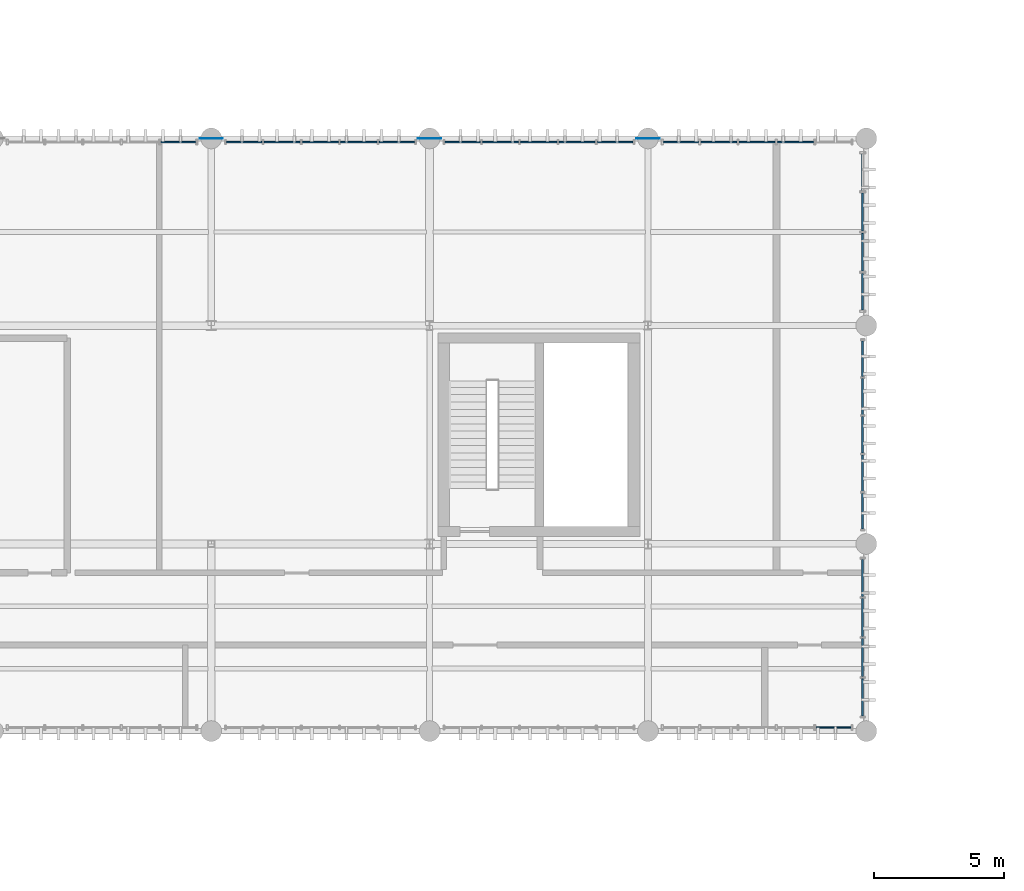
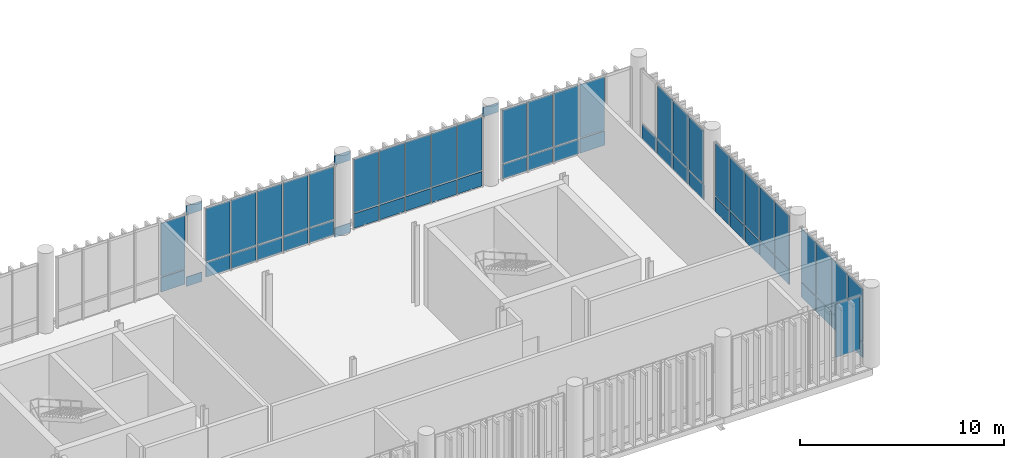
# One storey, part 71 of 94: 61 plates, 8 elements without a shape of their own.
"""IFC4 building model written with IfcOpenShell, lengths in metres."""

from ifc_helpers import new_model, si_unit, direction, frame, frame_2d, origin_with_axes, origin_2d_with_axis, place, context, subcontext, project, spatial, rectangle, extrude, material, layer, layer_set, type_object, element, aggregate, save


model = new_model("IFC4")

# Units and contexts
model_context = context("Model", 3, precision=1e-05, world=origin_with_axes(), true_north=direction((0.0, 1.0)))
body_context = subcontext(model_context, "Body", "Model", "MODEL_VIEW")
ifc_project = project(units=[si_unit("LENGTHUNIT", "METRE"), si_unit("AREAUNIT", "SQUARE_METRE"), si_unit("VOLUMEUNIT", "CUBIC_METRE"), si_unit("PLANEANGLEUNIT", "RADIAN"), si_unit("MASSUNIT", "GRAM", prefix="KILO"), si_unit("THERMODYNAMICTEMPERATUREUNIT", "KELVIN")], contexts=[model_context])

# Site, building, storey
site_placement = place(None, origin_with_axes())
site = spatial("IfcSite", under=ifc_project, at=site_placement, CompositionType="ELEMENT")
building_placement = place(site_placement, origin_with_axes())
building = spatial("IfcBuilding", under=site, at=building_placement, Name="Montbau Bow Law Courts", CompositionType="ELEMENT")
storey_placement = place(building_placement, frame((0.0, 0.0, 15.6), z_axis=(0.0, 0.0, 1.0), x_axis=(1.0, 0.0, 0.0)))
storey = spatial("IfcBuildingStorey", under=building, at=storey_placement, Name="L03", CompositionType="ELEMENT", Elevation=15.6)

# Curtain wall, plate
ifc_material_1 = material(Name="Thermally Broken Extruded Aluminium AA 6063-T6", Category="aluminium")
curtain_wall_type = type_object("IfcCurtainWallType", Name="CW-CRM-01", PredefinedType="NOTDEFINED", material=ifc_material_1)
curtain_wall_1_placement = place(None, frame((89.315, 39.14, 15.6), z_axis=(0.0, 0.0, 1.0), x_axis=(1.0, 0.0, 0.0)))
curtain_wall_1 = element("IfcCurtainWall", 1, at=curtain_wall_1_placement, inside=storey, type_object=curtain_wall_type, Name="CW-L03-180:cw_0180", PredefinedType="NOTDEFINED")
ifc_material_2 = material(Name="Triple-Glazed Low-E Argon Insulating Glass Unit", Category="glass")
ifc_layer_1 = layer(ifc_material_2, 0.044, Name="Curtain Panel", Category="glass")
ifc_layer_set_1 = layer_set([ifc_layer_1], Name="Triple-Glazed Low-E Argon Insulating Glass Unit")
plate_type_1 = type_object("IfcPlateType", Name="PL-CWP-01", PredefinedType="CURTAIN_PANEL", material=ifc_layer_set_1)
plate_1_placement = place(None, frame((95.25, 39.14, 16.582), z_axis=(0.0, -1.0, 0.0), x_axis=(1.0, 0.0, 0.0)))
plate_1 = element("IfcPlate", 2, at=plate_1_placement, type_object=plate_type_1, Name="CW-L03-180-P05-2:cw_0180_P05_2", PredefinedType="CURTAIN_PANEL", context=body_context, shape_type="SweptSolid", body=[
    extrude(rectangle(XDim=1.359, YDim=3.176, at=frame_2d((0.6795, 1.588), x_axis=(1.0, 0.0))), frame((0.0, 0.0, -0.022), z_axis=(0.0, 0.0, 1.0), x_axis=(1.0, 0.0, 0.0)), (0.0, 0.0, 1.0), 0.044),
])
aggregate(curtain_wall_1, [plate_1])

curtain_wall_2_placement = place(None, frame((64.115, 61.66, 15.6), z_axis=(0.0, 0.0, 1.0), x_axis=(1.0, 0.0, 0.0)))
curtain_wall_2 = element("IfcCurtainWall", 3, at=curtain_wall_2_placement, inside=storey, type_object=curtain_wall_type, Name="CW-L03-183:cw_0183", PredefinedType="NOTDEFINED")
plate_2_placement = place(None, frame((70.05, 61.66, 16.579), z_axis=(0.0, -1.0, 0.0), x_axis=(1.0, 0.0, 0.0)))
plate_2 = element("IfcPlate", 4, at=plate_2_placement, type_object=plate_type_1, Name="CW-L03-183-P05-2:cw_0183_P05_2", PredefinedType="CURTAIN_PANEL", context=body_context, shape_type="SweptSolid", body=[
    extrude(rectangle(XDim=1.359, YDim=3.185, at=frame_2d((0.6795, 1.5925), x_axis=(1.0, 0.0))), frame((0.0, 0.0, -0.022), z_axis=(0.0, 0.0, 1.0), x_axis=(1.0, 0.0, 0.0)), (0.0, 0.0, 1.0), 0.044),
])

# Curtain wall, plates
curtain_wall_3_placement = place(None, frame((72.515, 61.66, 15.6), z_axis=(0.0, 0.0, 1.0), x_axis=(1.0, 0.0, 0.0)))
curtain_wall_3 = element("IfcCurtainWall", 5, at=curtain_wall_3_placement, inside=storey, type_object=curtain_wall_type, Name="CW-L03-184:cw_0184", PredefinedType="NOTDEFINED")
plate_3_placement = place(None, frame((72.583, 61.66, 16.582), z_axis=(0.0, -1.0, 0.0), x_axis=(1.0, 0.0, 0.0)))
plate_3 = element("IfcPlate", 6, at=plate_3_placement, type_object=plate_type_1, Name="CW-L03-184-P01-2:cw_0184_P01_2", PredefinedType="CURTAIN_PANEL", context=body_context, shape_type="SweptSolid", body=[
    extrude(rectangle(XDim=1.372, YDim=3.176, at=frame_2d((0.686, 1.588), x_axis=(1.0, 0.0))), frame((0.0, 0.0, -0.022), z_axis=(0.0, 0.0, 1.0), x_axis=(1.0, 0.0, 0.0)), (0.0, 0.0, 1.0), 0.044),
])
plate_4_placement = place(None, frame((74.023, 61.66, 16.582), z_axis=(0.0, -1.0, 0.0), x_axis=(1.0, 0.0, 0.0)))
plate_4 = element("IfcPlate", 7, at=plate_4_placement, type_object=plate_type_1, Name="CW-L03-184-P02-2:cw_0184_P02_2", PredefinedType="CURTAIN_PANEL", context=body_context, shape_type="SweptSolid", body=[
    extrude(rectangle(XDim=1.405, YDim=3.176, at=frame_2d((0.7025, 1.588), x_axis=(1.0, 0.0))), frame((0.0, 0.0, -0.022), z_axis=(0.0, 0.0, 1.0), x_axis=(1.0, 0.0, 0.0)), (0.0, 0.0, 1.0), 0.044),
])
plate_5_placement = place(None, frame((75.497, 61.66, 16.582), z_axis=(0.0, -1.0, 0.0), x_axis=(1.0, 0.0, 0.0)))
plate_5 = element("IfcPlate", 8, at=plate_5_placement, type_object=plate_type_1, Name="CW-L03-184-P03-2:cw_0184_P03_2", PredefinedType="CURTAIN_PANEL", context=body_context, shape_type="SweptSolid", body=[
    extrude(rectangle(XDim=1.406, YDim=3.176, at=frame_2d((0.703, 1.588), x_axis=(1.0, 0.0))), frame((0.0, 0.0, -0.022), z_axis=(0.0, 0.0, 1.0), x_axis=(1.0, 0.0, 0.0)), (0.0, 0.0, 1.0), 0.044),
])
plate_6_placement = place(None, frame((76.971, 61.66, 16.582), z_axis=(0.0, -1.0, 0.0), x_axis=(1.0, 0.0, 0.0)))
plate_6 = element("IfcPlate", 9, at=plate_6_placement, type_object=plate_type_1, Name="CW-L03-184-P04-2:cw_0184_P04_2", PredefinedType="CURTAIN_PANEL", context=body_context, shape_type="SweptSolid", body=[
    extrude(rectangle(XDim=1.406, YDim=3.176, at=frame_2d((0.703, 1.588), x_axis=(1.0, 0.0))), frame((0.0, 0.0, -0.022), z_axis=(0.0, 0.0, 1.0), x_axis=(1.0, 0.0, 0.0)), (0.0, 0.0, 1.0), 0.044),
])
plate_7_placement = place(None, frame((78.445, 61.66, 16.582), z_axis=(0.0, -1.0, 0.0), x_axis=(1.0, 0.0, 0.0)))
plate_7 = element("IfcPlate", 10, at=plate_7_placement, type_object=plate_type_1, Name="CW-L03-184-P05-2:cw_0184_P05_2", PredefinedType="CURTAIN_PANEL", context=body_context, shape_type="SweptSolid", body=[
    extrude(rectangle(XDim=1.374, YDim=3.176, at=frame_2d((0.687, 1.588), x_axis=(1.0, 0.0))), frame((0.0, 0.0, -0.022), z_axis=(0.0, 0.0, 1.0), x_axis=(1.0, 0.0, 0.0)), (0.0, 0.0, 1.0), 0.044),
])

curtain_wall_4_placement = place(None, frame((80.915, 61.66, 15.6), z_axis=(0.0, 0.0, 1.0), x_axis=(1.0, 0.0, 0.0)))
curtain_wall_4 = element("IfcCurtainWall", 11, at=curtain_wall_4_placement, inside=storey, type_object=curtain_wall_type, Name="CW-L03-185:cw_0185", PredefinedType="NOTDEFINED")
plate_8_placement = place(None, frame((80.977, 61.66, 16.579), z_axis=(0.0, -1.0, 0.0), x_axis=(1.0, 0.0, 0.0)))
plate_8 = element("IfcPlate", 12, at=plate_8_placement, type_object=plate_type_1, Name="CW-L03-185-P01-2:cw_0185_P01_2", PredefinedType="CURTAIN_PANEL", context=body_context, shape_type="SweptSolid", body=[
    extrude(rectangle(XDim=1.38, YDim=3.185, at=frame_2d((0.69, 1.5925), x_axis=(1.0, 0.0))), frame((0.0, 0.0, -0.022), z_axis=(0.0, 0.0, 1.0), x_axis=(1.0, 0.0, 0.0)), (0.0, 0.0, 1.0), 0.044),
])
plate_9_placement = place(None, frame((82.421, 61.66, 16.579), z_axis=(0.0, -1.0, 0.0), x_axis=(1.0, 0.0, 0.0)))
plate_9 = element("IfcPlate", 13, at=plate_9_placement, type_object=plate_type_1, Name="CW-L03-185-P02-2:cw_0185_P02_2", PredefinedType="CURTAIN_PANEL", context=body_context, shape_type="SweptSolid", body=[
    extrude(rectangle(XDim=1.41, YDim=3.185, at=frame_2d((0.705, 1.5925), x_axis=(1.0, 0.0))), frame((0.0, 0.0, -0.022), z_axis=(0.0, 0.0, 1.0), x_axis=(1.0, 0.0, 0.0)), (0.0, 0.0, 1.0), 0.044),
])
plate_10_placement = place(None, frame((83.895, 61.66, 16.579), z_axis=(0.0, -1.0, 0.0), x_axis=(1.0, 0.0, 0.0)))
plate_10 = element("IfcPlate", 14, at=plate_10_placement, type_object=plate_type_1, Name="CW-L03-185-P03-2:cw_0185_P03_2", PredefinedType="CURTAIN_PANEL", context=body_context, shape_type="SweptSolid", body=[
    extrude(rectangle(XDim=1.41, YDim=3.185, at=frame_2d((0.705, 1.5925), x_axis=(1.0, 0.0))), frame((0.0, 0.0, -0.022), z_axis=(0.0, 0.0, 1.0), x_axis=(1.0, 0.0, 0.0)), (0.0, 0.0, 1.0), 0.044),
])
plate_11_placement = place(None, frame((85.369, 61.66, 16.579), z_axis=(0.0, -1.0, 0.0), x_axis=(1.0, 0.0, 0.0)))
plate_11 = element("IfcPlate", 15, at=plate_11_placement, type_object=plate_type_1, Name="CW-L03-185-P04-2:cw_0185_P04_2", PredefinedType="CURTAIN_PANEL", context=body_context, shape_type="SweptSolid", body=[
    extrude(rectangle(XDim=1.41, YDim=3.185, at=frame_2d((0.705, 1.5925), x_axis=(1.0, 0.0))), frame((0.0, 0.0, -0.022), z_axis=(0.0, 0.0, 1.0), x_axis=(1.0, 0.0, 0.0)), (0.0, 0.0, 1.0), 0.044),
])
plate_12_placement = place(None, frame((86.843, 61.66, 16.579), z_axis=(0.0, -1.0, 0.0), x_axis=(1.0, 0.0, 0.0)))
plate_12 = element("IfcPlate", 16, at=plate_12_placement, type_object=plate_type_1, Name="CW-L03-185-P05-2:cw_0185_P05_2", PredefinedType="CURTAIN_PANEL", context=body_context, shape_type="SweptSolid", body=[
    extrude(rectangle(XDim=1.38, YDim=3.185, at=frame_2d((0.69, 1.5925), x_axis=(1.0, 0.0))), frame((0.0, 0.0, -0.022), z_axis=(0.0, 0.0, 1.0), x_axis=(1.0, 0.0, 0.0)), (0.0, 0.0, 1.0), 0.044),
])

curtain_wall_5_placement = place(None, frame((89.315, 61.66, 15.6), z_axis=(0.0, 0.0, 1.0), x_axis=(1.0, 0.0, 0.0)))
curtain_wall_5 = element("IfcCurtainWall", 17, at=curtain_wall_5_placement, inside=storey, type_object=curtain_wall_type, Name="CW-L03-186:cw_0186", PredefinedType="NOTDEFINED")
plate_13_placement = place(None, frame((89.391, 61.66, 16.582), z_axis=(0.0, -1.0, 0.0), x_axis=(1.0, 0.0, 0.0)))
plate_13 = element("IfcPlate", 18, at=plate_13_placement, type_object=plate_type_1, Name="CW-L03-186-P01-2:cw_0186_P01_2", PredefinedType="CURTAIN_PANEL", context=body_context, shape_type="SweptSolid", body=[
    extrude(rectangle(XDim=1.358, YDim=3.176, at=frame_2d((0.679, 1.588), x_axis=(1.0, 0.0))), frame((0.0, 0.0, -0.022), z_axis=(0.0, 0.0, 1.0), x_axis=(1.0, 0.0, 0.0)), (0.0, 0.0, 1.0), 0.044),
])
plate_14_placement = place(None, frame((90.829, 61.66, 16.582), z_axis=(0.0, -1.0, 0.0), x_axis=(1.0, 0.0, 0.0)))
plate_14 = element("IfcPlate", 19, at=plate_14_placement, type_object=plate_type_1, Name="CW-L03-186-P02-2:cw_0186_P02_2", PredefinedType="CURTAIN_PANEL", context=body_context, shape_type="SweptSolid", body=[
    extrude(rectangle(XDim=1.395, YDim=3.176, at=frame_2d((0.6975, 1.588), x_axis=(1.0, 0.0))), frame((0.0, 0.0, -0.022), z_axis=(0.0, 0.0, 1.0), x_axis=(1.0, 0.0, 0.0)), (0.0, 0.0, 1.0), 0.044),
])
plate_15_placement = place(None, frame((92.302, 61.66, 16.582), z_axis=(0.0, -1.0, 0.0), x_axis=(1.0, 0.0, 0.0)))
plate_15 = element("IfcPlate", 20, at=plate_15_placement, type_object=plate_type_1, Name="CW-L03-186-P03-2:cw_0186_P03_2", PredefinedType="CURTAIN_PANEL", context=body_context, shape_type="SweptSolid", body=[
    extrude(rectangle(XDim=1.396, YDim=3.176, at=frame_2d((0.698, 1.588), x_axis=(1.0, 0.0))), frame((0.0, 0.0, -0.022), z_axis=(0.0, 0.0, 1.0), x_axis=(1.0, 0.0, 0.0)), (0.0, 0.0, 1.0), 0.044),
])
plate_16_placement = place(None, frame((93.776, 61.66, 16.582), z_axis=(0.0, -1.0, 0.0), x_axis=(1.0, 0.0, 0.0)))
plate_16 = element("IfcPlate", 21, at=plate_16_placement, type_object=plate_type_1, Name="CW-L03-186-P04-2:cw_0186_P04_2", PredefinedType="CURTAIN_PANEL", context=body_context, shape_type="SweptSolid", body=[
    extrude(rectangle(XDim=1.396, YDim=3.176, at=frame_2d((0.698, 1.588), x_axis=(1.0, 0.0))), frame((0.0, 0.0, -0.022), z_axis=(0.0, 0.0, 1.0), x_axis=(1.0, 0.0, 0.0)), (0.0, 0.0, 1.0), 0.044),
])

curtain_wall_6_placement = place(None, frame((97.06, 39.515, 15.6), z_axis=(0.0, 0.0, 1.0), x_axis=(1.0, 0.0, 0.0)))
curtain_wall_6 = element("IfcCurtainWall", 22, at=curtain_wall_6_placement, inside=storey, type_object=curtain_wall_type, Name="CW-L03-190:cw_0190", PredefinedType="NOTDEFINED")
plate_17_placement = place(None, frame((97.06, 39.583, 16.582), z_axis=(1.0, 0.0, 0.0), x_axis=(0.0, 1.0, 0.0)))
plate_17 = element("IfcPlate", 23, at=plate_17_placement, type_object=plate_type_1, Name="CW-L03-190-P01-2:cw_0190_P01_2", PredefinedType="CURTAIN_PANEL", context=body_context, shape_type="SweptSolid", body=[
    extrude(rectangle(XDim=1.44, YDim=3.176, at=frame_2d((0.72, 1.588), x_axis=(1.0, 0.0))), frame((0.0, 0.0, -0.022), z_axis=(0.0, 0.0, 1.0), x_axis=(1.0, 0.0, 0.0)), (0.0, 0.0, 1.0), 0.044),
])
plate_18_placement = place(None, frame((97.06, 41.092, 16.582), z_axis=(1.0, 0.0, 0.0), x_axis=(0.0, 1.0, 0.0)))
plate_18 = element("IfcPlate", 24, at=plate_18_placement, type_object=plate_type_1, Name="CW-L03-190-P02-2:cw_0190_P02_2", PredefinedType="CURTAIN_PANEL", context=body_context, shape_type="SweptSolid", body=[
    extrude(rectangle(XDim=1.473, YDim=3.176, at=frame_2d((0.7365, 1.588), x_axis=(1.0, 0.0))), frame((0.0, 0.0, -0.022), z_axis=(0.0, 0.0, 1.0), x_axis=(1.0, 0.0, 0.0)), (0.0, 0.0, 1.0), 0.044),
])
plate_19_placement = place(None, frame((97.06, 42.634, 16.582), z_axis=(1.0, 0.0, 0.0), x_axis=(0.0, 1.0, 0.0)))
plate_19 = element("IfcPlate", 25, at=plate_19_placement, type_object=plate_type_1, Name="CW-L03-190-P03-2:cw_0190_P03_2", PredefinedType="CURTAIN_PANEL", context=body_context, shape_type="SweptSolid", body=[
    extrude(rectangle(XDim=1.475, YDim=3.176, at=frame_2d((0.7375, 1.588), x_axis=(1.0, 0.0))), frame((0.0, 0.0, -0.022), z_axis=(0.0, 0.0, 1.0), x_axis=(1.0, 0.0, 0.0)), (0.0, 0.0, 1.0), 0.044),
])
plate_20_placement = place(None, frame((97.06, 44.177, 16.582), z_axis=(1.0, 0.0, 0.0), x_axis=(0.0, 1.0, 0.0)))
plate_20 = element("IfcPlate", 26, at=plate_20_placement, type_object=plate_type_1, Name="CW-L03-190-P04-2:cw_0190_P04_2", PredefinedType="CURTAIN_PANEL", context=body_context, shape_type="SweptSolid", body=[
    extrude(rectangle(XDim=1.442, YDim=3.176, at=frame_2d((0.721, 1.588), x_axis=(1.0, 0.0))), frame((0.0, 0.0, -0.022), z_axis=(0.0, 0.0, 1.0), x_axis=(1.0, 0.0, 0.0)), (0.0, 0.0, 1.0), 0.044),
])

curtain_wall_7_placement = place(None, frame((97.06, 46.715, 15.6), z_axis=(0.0, 0.0, 1.0), x_axis=(1.0, 0.0, 0.0)))
curtain_wall_7 = element("IfcCurtainWall", 27, at=curtain_wall_7_placement, inside=storey, type_object=curtain_wall_type, Name="CW-L03-191:cw_0191", PredefinedType="NOTDEFINED")
plate_21_placement = place(None, frame((97.06, 46.777, 16.579), z_axis=(1.0, 0.0, 0.0), x_axis=(0.0, 1.0, 0.0)))
plate_21 = element("IfcPlate", 28, at=plate_21_placement, type_object=plate_type_1, Name="CW-L03-191-P01-2:cw_0191_P01_2", PredefinedType="CURTAIN_PANEL", context=body_context, shape_type="SweptSolid", body=[
    extrude(rectangle(XDim=1.38, YDim=3.185, at=frame_2d((0.69, 1.5925), x_axis=(1.0, 0.0))), frame((0.0, 0.0, -0.022), z_axis=(0.0, 0.0, 1.0), x_axis=(1.0, 0.0, 0.0)), (0.0, 0.0, 1.0), 0.044),
])
plate_22_placement = place(None, frame((97.06, 48.221, 16.579), z_axis=(1.0, 0.0, 0.0), x_axis=(0.0, 1.0, 0.0)))
plate_22 = element("IfcPlate", 29, at=plate_22_placement, type_object=plate_type_1, Name="CW-L03-191-P02-2:cw_0191_P02_2", PredefinedType="CURTAIN_PANEL", context=body_context, shape_type="SweptSolid", body=[
    extrude(rectangle(XDim=1.41, YDim=3.185, at=frame_2d((0.705, 1.5925), x_axis=(1.0, 0.0))), frame((0.0, 0.0, -0.022), z_axis=(0.0, 0.0, 1.0), x_axis=(1.0, 0.0, 0.0)), (0.0, 0.0, 1.0), 0.044),
])
plate_23_placement = place(None, frame((97.06, 49.695, 16.579), z_axis=(1.0, 0.0, 0.0), x_axis=(0.0, 1.0, 0.0)))
plate_23 = element("IfcPlate", 30, at=plate_23_placement, type_object=plate_type_1, Name="CW-L03-191-P03-2:cw_0191_P03_2", PredefinedType="CURTAIN_PANEL", context=body_context, shape_type="SweptSolid", body=[
    extrude(rectangle(XDim=1.41, YDim=3.185, at=frame_2d((0.705, 1.5925), x_axis=(1.0, 0.0))), frame((0.0, 0.0, -0.022), z_axis=(0.0, 0.0, 1.0), x_axis=(1.0, 0.0, 0.0)), (0.0, 0.0, 1.0), 0.044),
])
plate_24_placement = place(None, frame((97.06, 51.169, 16.579), z_axis=(1.0, 0.0, 0.0), x_axis=(0.0, 1.0, 0.0)))
plate_24 = element("IfcPlate", 31, at=plate_24_placement, type_object=plate_type_1, Name="CW-L03-191-P04-2:cw_0191_P04_2", PredefinedType="CURTAIN_PANEL", context=body_context, shape_type="SweptSolid", body=[
    extrude(rectangle(XDim=1.41, YDim=3.185, at=frame_2d((0.705, 1.5925), x_axis=(1.0, 0.0))), frame((0.0, 0.0, -0.022), z_axis=(0.0, 0.0, 1.0), x_axis=(1.0, 0.0, 0.0)), (0.0, 0.0, 1.0), 0.044),
])
plate_25_placement = place(None, frame((97.06, 52.643, 16.579), z_axis=(1.0, 0.0, 0.0), x_axis=(0.0, 1.0, 0.0)))
plate_25 = element("IfcPlate", 32, at=plate_25_placement, type_object=plate_type_1, Name="CW-L03-191-P05-2:cw_0191_P05_2", PredefinedType="CURTAIN_PANEL", context=body_context, shape_type="SweptSolid", body=[
    extrude(rectangle(XDim=1.38, YDim=3.185, at=frame_2d((0.69, 1.5925), x_axis=(1.0, 0.0))), frame((0.0, 0.0, -0.022), z_axis=(0.0, 0.0, 1.0), x_axis=(1.0, 0.0, 0.0)), (0.0, 0.0, 1.0), 0.044),
])

curtain_wall_8_placement = place(None, frame((97.06, 55.115, 15.6), z_axis=(0.0, 0.0, 1.0), x_axis=(1.0, 0.0, 0.0)))
curtain_wall_8 = element("IfcCurtainWall", 33, at=curtain_wall_8_placement, inside=storey, type_object=curtain_wall_type, Name="CW-L03-192:cw_0192", PredefinedType="NOTDEFINED")
plate_26_placement = place(None, frame((97.06, 55.191, 16.582), z_axis=(1.0, 0.0, 0.0), x_axis=(0.0, 1.0, 0.0)))
plate_26 = element("IfcPlate", 34, at=plate_26_placement, type_object=plate_type_1, Name="CW-L03-192-P01-2:cw_0192_P01_2", PredefinedType="CURTAIN_PANEL", context=body_context, shape_type="SweptSolid", body=[
    extrude(rectangle(XDim=1.426, YDim=3.176, at=frame_2d((0.713, 1.588), x_axis=(1.0, 0.0))), frame((0.0, 0.0, -0.022), z_axis=(0.0, 0.0, 1.0), x_axis=(1.0, 0.0, 0.0)), (0.0, 0.0, 1.0), 0.044),
])
plate_27_placement = place(None, frame((97.06, 56.697, 16.582), z_axis=(1.0, 0.0, 0.0), x_axis=(0.0, 1.0, 0.0)))
plate_27 = element("IfcPlate", 35, at=plate_27_placement, type_object=plate_type_1, Name="CW-L03-192-P02-2:cw_0192_P02_2", PredefinedType="CURTAIN_PANEL", context=body_context, shape_type="SweptSolid", body=[
    extrude(rectangle(XDim=1.464, YDim=3.176, at=frame_2d((0.732, 1.588), x_axis=(1.0, 0.0))), frame((0.0, 0.0, -0.022), z_axis=(0.0, 0.0, 1.0), x_axis=(1.0, 0.0, 0.0)), (0.0, 0.0, 1.0), 0.044),
])
plate_28_placement = place(None, frame((97.06, 58.239, 16.582), z_axis=(1.0, 0.0, 0.0), x_axis=(0.0, 1.0, 0.0)))
plate_28 = element("IfcPlate", 36, at=plate_28_placement, type_object=plate_type_1, Name="CW-L03-192-P03-2:cw_0192_P03_2", PredefinedType="CURTAIN_PANEL", context=body_context, shape_type="SweptSolid", body=[
    extrude(rectangle(XDim=1.464, YDim=3.176, at=frame_2d((0.732, 1.588), x_axis=(1.0, 0.0))), frame((0.0, 0.0, -0.022), z_axis=(0.0, 0.0, 1.0), x_axis=(1.0, 0.0, 0.0)), (0.0, 0.0, 1.0), 0.044),
])

# Plate
ifc_material_3 = material(Name="Insulated Ceramic-Frit Spandrel Glazing Unit", Category="glass")
ifc_layer_2 = layer(ifc_material_3, 0.056, Name="Curtain Panel", Category="glass")
ifc_layer_set_2 = layer_set([ifc_layer_2], Name="Insulated Ceramic-Frit Spandrel Glazing Unit")
plate_type_2 = type_object("IfcPlateType", Name="PL-CWP-02", PredefinedType="CURTAIN_PANEL", material=ifc_layer_set_2)
plate_29_placement = place(None, frame((70.05, 61.66, 15.657), z_axis=(0.0, -1.0, 0.0), x_axis=(1.0, 0.0, 0.0)))
plate_29 = element("IfcPlate", 37, at=plate_29_placement, type_object=plate_type_2, Name="CW-L03-183-P05-1:cw_0183_P05_1", PredefinedType="CURTAIN_PANEL", context=body_context, shape_type="SweptSolid", body=[
    extrude(rectangle(XDim=1.359, YDim=0.864, at=frame_2d((0.6795, 0.432), x_axis=(1.0, 0.0))), frame((0.0, 0.0, -0.028), z_axis=(0.0, 0.0, 1.0), x_axis=(1.0, 0.0, 0.0)), (0.0, 0.0, 1.0), 0.056),
])

aggregate(curtain_wall_2, [plate_29, plate_2])

plate_30_placement = place(None, frame((72.583, 61.66, 15.662), z_axis=(0.0, -1.0, 0.0), x_axis=(1.0, 0.0, 0.0)))
plate_30 = element("IfcPlate", 38, at=plate_30_placement, type_object=plate_type_2, Name="CW-L03-184-P01-1:cw_0184_P01_1", PredefinedType="CURTAIN_PANEL", context=body_context, shape_type="SweptSolid", body=[
    extrude(rectangle(XDim=1.372, YDim=0.856, at=frame_2d((0.686, 0.428), x_axis=(1.0, 0.0))), frame((0.0, 0.0, -0.028), z_axis=(0.0, 0.0, 1.0), x_axis=(1.0, 0.0, 0.0)), (0.0, 0.0, 1.0), 0.056),
])

plate_31_placement = place(None, frame((74.023, 61.66, 15.662), z_axis=(0.0, -1.0, 0.0), x_axis=(1.0, 0.0, 0.0)))
plate_31 = element("IfcPlate", 39, at=plate_31_placement, type_object=plate_type_2, Name="CW-L03-184-P02-1:cw_0184_P02_1", PredefinedType="CURTAIN_PANEL", context=body_context, shape_type="SweptSolid", body=[
    extrude(rectangle(XDim=1.405, YDim=0.856, at=frame_2d((0.7025, 0.428), x_axis=(1.0, 0.0))), frame((0.0, 0.0, -0.028), z_axis=(0.0, 0.0, 1.0), x_axis=(1.0, 0.0, 0.0)), (0.0, 0.0, 1.0), 0.056),
])

plate_32_placement = place(None, frame((75.497, 61.66, 15.662), z_axis=(0.0, -1.0, 0.0), x_axis=(1.0, 0.0, 0.0)))
plate_32 = element("IfcPlate", 40, at=plate_32_placement, type_object=plate_type_2, Name="CW-L03-184-P03-1:cw_0184_P03_1", PredefinedType="CURTAIN_PANEL", context=body_context, shape_type="SweptSolid", body=[
    extrude(rectangle(XDim=1.406, YDim=0.856, at=frame_2d((0.703, 0.428), x_axis=(1.0, 0.0))), frame((0.0, 0.0, -0.028), z_axis=(0.0, 0.0, 1.0), x_axis=(1.0, 0.0, 0.0)), (0.0, 0.0, 1.0), 0.056),
])

plate_33_placement = place(None, frame((76.971, 61.66, 15.662), z_axis=(0.0, -1.0, 0.0), x_axis=(1.0, 0.0, 0.0)))
plate_33 = element("IfcPlate", 41, at=plate_33_placement, type_object=plate_type_2, Name="CW-L03-184-P04-1:cw_0184_P04_1", PredefinedType="CURTAIN_PANEL", context=body_context, shape_type="SweptSolid", body=[
    extrude(rectangle(XDim=1.406, YDim=0.856, at=frame_2d((0.703, 0.428), x_axis=(1.0, 0.0))), frame((0.0, 0.0, -0.028), z_axis=(0.0, 0.0, 1.0), x_axis=(1.0, 0.0, 0.0)), (0.0, 0.0, 1.0), 0.056),
])

plate_34_placement = place(None, frame((78.445, 61.66, 15.662), z_axis=(0.0, -1.0, 0.0), x_axis=(1.0, 0.0, 0.0)))
plate_34 = element("IfcPlate", 42, at=plate_34_placement, type_object=plate_type_2, Name="CW-L03-184-P05-1:cw_0184_P05_1", PredefinedType="CURTAIN_PANEL", context=body_context, shape_type="SweptSolid", body=[
    extrude(rectangle(XDim=1.374, YDim=0.856, at=frame_2d((0.687, 0.428), x_axis=(1.0, 0.0))), frame((0.0, 0.0, -0.028), z_axis=(0.0, 0.0, 1.0), x_axis=(1.0, 0.0, 0.0)), (0.0, 0.0, 1.0), 0.056),
])

aggregate(curtain_wall_3, [plate_30, plate_3, plate_31, plate_4, plate_32, plate_5, plate_33, plate_6, plate_34, plate_7])

plate_35_placement = place(None, frame((80.977, 61.66, 15.657), z_axis=(0.0, -1.0, 0.0), x_axis=(1.0, 0.0, 0.0)))
plate_35 = element("IfcPlate", 43, at=plate_35_placement, type_object=plate_type_2, Name="CW-L03-185-P01-1:cw_0185_P01_1", PredefinedType="CURTAIN_PANEL", context=body_context, shape_type="SweptSolid", body=[
    extrude(rectangle(XDim=1.38, YDim=0.864, at=frame_2d((0.69, 0.432), x_axis=(1.0, 0.0))), frame((0.0, 0.0, -0.028), z_axis=(0.0, 0.0, 1.0), x_axis=(1.0, 0.0, 0.0)), (0.0, 0.0, 1.0), 0.056),
])

plate_36_placement = place(None, frame((82.421, 61.66, 15.657), z_axis=(0.0, -1.0, 0.0), x_axis=(1.0, 0.0, 0.0)))
plate_36 = element("IfcPlate", 44, at=plate_36_placement, type_object=plate_type_2, Name="CW-L03-185-P02-1:cw_0185_P02_1", PredefinedType="CURTAIN_PANEL", context=body_context, shape_type="SweptSolid", body=[
    extrude(rectangle(XDim=1.41, YDim=0.864, at=frame_2d((0.705, 0.432), x_axis=(1.0, 0.0))), frame((0.0, 0.0, -0.028), z_axis=(0.0, 0.0, 1.0), x_axis=(1.0, 0.0, 0.0)), (0.0, 0.0, 1.0), 0.056),
])

plate_37_placement = place(None, frame((83.895, 61.66, 15.657), z_axis=(0.0, -1.0, 0.0), x_axis=(1.0, 0.0, 0.0)))
plate_37 = element("IfcPlate", 45, at=plate_37_placement, type_object=plate_type_2, Name="CW-L03-185-P03-1:cw_0185_P03_1", PredefinedType="CURTAIN_PANEL", context=body_context, shape_type="SweptSolid", body=[
    extrude(rectangle(XDim=1.41, YDim=0.864, at=frame_2d((0.705, 0.432), x_axis=(1.0, 0.0))), frame((0.0, 0.0, -0.028), z_axis=(0.0, 0.0, 1.0), x_axis=(1.0, 0.0, 0.0)), (0.0, 0.0, 1.0), 0.056),
])

plate_38_placement = place(None, frame((85.369, 61.66, 15.657), z_axis=(0.0, -1.0, 0.0), x_axis=(1.0, 0.0, 0.0)))
plate_38 = element("IfcPlate", 46, at=plate_38_placement, type_object=plate_type_2, Name="CW-L03-185-P04-1:cw_0185_P04_1", PredefinedType="CURTAIN_PANEL", context=body_context, shape_type="SweptSolid", body=[
    extrude(rectangle(XDim=1.41, YDim=0.864, at=frame_2d((0.705, 0.432), x_axis=(1.0, 0.0))), frame((0.0, 0.0, -0.028), z_axis=(0.0, 0.0, 1.0), x_axis=(1.0, 0.0, 0.0)), (0.0, 0.0, 1.0), 0.056),
])

plate_39_placement = place(None, frame((86.843, 61.66, 15.657), z_axis=(0.0, -1.0, 0.0), x_axis=(1.0, 0.0, 0.0)))
plate_39 = element("IfcPlate", 47, at=plate_39_placement, type_object=plate_type_2, Name="CW-L03-185-P05-1:cw_0185_P05_1", PredefinedType="CURTAIN_PANEL", context=body_context, shape_type="SweptSolid", body=[
    extrude(rectangle(XDim=1.38, YDim=0.864, at=frame_2d((0.69, 0.432), x_axis=(1.0, 0.0))), frame((0.0, 0.0, -0.028), z_axis=(0.0, 0.0, 1.0), x_axis=(1.0, 0.0, 0.0)), (0.0, 0.0, 1.0), 0.056),
])

aggregate(curtain_wall_4, [plate_35, plate_8, plate_36, plate_9, plate_37, plate_10, plate_38, plate_11, plate_39, plate_12])

plate_40_placement = place(None, frame((89.391, 61.66, 15.662), z_axis=(0.0, -1.0, 0.0), x_axis=(1.0, 0.0, 0.0)))
plate_40 = element("IfcPlate", 48, at=plate_40_placement, type_object=plate_type_2, Name="CW-L03-186-P01-1:cw_0186_P01_1", PredefinedType="CURTAIN_PANEL", context=body_context, shape_type="SweptSolid", body=[
    extrude(rectangle(XDim=1.358, YDim=0.856, at=frame_2d((0.679, 0.428), x_axis=(1.0, 0.0))), frame((0.0, 0.0, -0.028), z_axis=(0.0, 0.0, 1.0), x_axis=(1.0, 0.0, 0.0)), (0.0, 0.0, 1.0), 0.056),
])

plate_41_placement = place(None, frame((90.829, 61.66, 15.662), z_axis=(0.0, -1.0, 0.0), x_axis=(1.0, 0.0, 0.0)))
plate_41 = element("IfcPlate", 49, at=plate_41_placement, type_object=plate_type_2, Name="CW-L03-186-P02-1:cw_0186_P02_1", PredefinedType="CURTAIN_PANEL", context=body_context, shape_type="SweptSolid", body=[
    extrude(rectangle(XDim=1.395, YDim=0.856, at=frame_2d((0.6975, 0.428), x_axis=(1.0, 0.0))), frame((0.0, 0.0, -0.028), z_axis=(0.0, 0.0, 1.0), x_axis=(1.0, 0.0, 0.0)), (0.0, 0.0, 1.0), 0.056),
])

plate_42_placement = place(None, frame((92.302, 61.66, 15.662), z_axis=(0.0, -1.0, 0.0), x_axis=(1.0, 0.0, 0.0)))
plate_42 = element("IfcPlate", 50, at=plate_42_placement, type_object=plate_type_2, Name="CW-L03-186-P03-1:cw_0186_P03_1", PredefinedType="CURTAIN_PANEL", context=body_context, shape_type="SweptSolid", body=[
    extrude(rectangle(XDim=1.396, YDim=0.856, at=frame_2d((0.698, 0.428), x_axis=(1.0, 0.0))), frame((0.0, 0.0, -0.028), z_axis=(0.0, 0.0, 1.0), x_axis=(1.0, 0.0, 0.0)), (0.0, 0.0, 1.0), 0.056),
])

plate_43_placement = place(None, frame((93.776, 61.66, 15.662), z_axis=(0.0, -1.0, 0.0), x_axis=(1.0, 0.0, 0.0)))
plate_43 = element("IfcPlate", 51, at=plate_43_placement, type_object=plate_type_2, Name="CW-L03-186-P04-1:cw_0186_P04_1", PredefinedType="CURTAIN_PANEL", context=body_context, shape_type="SweptSolid", body=[
    extrude(rectangle(XDim=1.396, YDim=0.856, at=frame_2d((0.698, 0.428), x_axis=(1.0, 0.0))), frame((0.0, 0.0, -0.028), z_axis=(0.0, 0.0, 1.0), x_axis=(1.0, 0.0, 0.0)), (0.0, 0.0, 1.0), 0.056),
])

aggregate(curtain_wall_5, [plate_40, plate_13, plate_41, plate_14, plate_42, plate_15, plate_43, plate_16])

plate_44_placement = place(None, frame((97.06, 39.583, 15.662), z_axis=(1.0, 0.0, 0.0), x_axis=(0.0, 1.0, 0.0)))
plate_44 = element("IfcPlate", 52, at=plate_44_placement, type_object=plate_type_2, Name="CW-L03-190-P01-1:cw_0190_P01_1", PredefinedType="CURTAIN_PANEL", context=body_context, shape_type="SweptSolid", body=[
    extrude(rectangle(XDim=1.44, YDim=0.856, at=frame_2d((0.72, 0.428), x_axis=(1.0, 0.0))), frame((0.0, 0.0, -0.028), z_axis=(0.0, 0.0, 1.0), x_axis=(1.0, 0.0, 0.0)), (0.0, 0.0, 1.0), 0.056),
])

plate_45_placement = place(None, frame((97.06, 41.092, 15.662), z_axis=(1.0, 0.0, 0.0), x_axis=(0.0, 1.0, 0.0)))
plate_45 = element("IfcPlate", 53, at=plate_45_placement, type_object=plate_type_2, Name="CW-L03-190-P02-1:cw_0190_P02_1", PredefinedType="CURTAIN_PANEL", context=body_context, shape_type="SweptSolid", body=[
    extrude(rectangle(XDim=1.473, YDim=0.856, at=frame_2d((0.7365, 0.428), x_axis=(1.0, 0.0))), frame((0.0, 0.0, -0.028), z_axis=(0.0, 0.0, 1.0), x_axis=(1.0, 0.0, 0.0)), (0.0, 0.0, 1.0), 0.056),
])

plate_46_placement = place(None, frame((97.06, 42.634, 15.662), z_axis=(1.0, 0.0, 0.0), x_axis=(0.0, 1.0, 0.0)))
plate_46 = element("IfcPlate", 54, at=plate_46_placement, type_object=plate_type_2, Name="CW-L03-190-P03-1:cw_0190_P03_1", PredefinedType="CURTAIN_PANEL", context=body_context, shape_type="SweptSolid", body=[
    extrude(rectangle(XDim=1.475, YDim=0.856, at=frame_2d((0.7375, 0.428), x_axis=(1.0, 0.0))), frame((0.0, 0.0, -0.028), z_axis=(0.0, 0.0, 1.0), x_axis=(1.0, 0.0, 0.0)), (0.0, 0.0, 1.0), 0.056),
])

plate_47_placement = place(None, frame((97.06, 44.177, 15.662), z_axis=(1.0, 0.0, 0.0), x_axis=(0.0, 1.0, 0.0)))
plate_47 = element("IfcPlate", 55, at=plate_47_placement, type_object=plate_type_2, Name="CW-L03-190-P04-1:cw_0190_P04_1", PredefinedType="CURTAIN_PANEL", context=body_context, shape_type="SweptSolid", body=[
    extrude(rectangle(XDim=1.442, YDim=0.856, at=frame_2d((0.721, 0.428), x_axis=(1.0, 0.0))), frame((0.0, 0.0, -0.028), z_axis=(0.0, 0.0, 1.0), x_axis=(1.0, 0.0, 0.0)), (0.0, 0.0, 1.0), 0.056),
])

aggregate(curtain_wall_6, [plate_44, plate_17, plate_45, plate_18, plate_46, plate_19, plate_47, plate_20])

plate_48_placement = place(None, frame((97.06, 46.777, 15.657), z_axis=(1.0, 0.0, 0.0), x_axis=(0.0, 1.0, 0.0)))
plate_48 = element("IfcPlate", 56, at=plate_48_placement, type_object=plate_type_2, Name="CW-L03-191-P01-1:cw_0191_P01_1", PredefinedType="CURTAIN_PANEL", context=body_context, shape_type="SweptSolid", body=[
    extrude(rectangle(XDim=1.38, YDim=0.864, at=frame_2d((0.69, 0.432), x_axis=(1.0, 0.0))), frame((0.0, 0.0, -0.028), z_axis=(0.0, 0.0, 1.0), x_axis=(1.0, 0.0, 0.0)), (0.0, 0.0, 1.0), 0.056),
])

plate_49_placement = place(None, frame((97.06, 48.221, 15.657), z_axis=(1.0, 0.0, 0.0), x_axis=(0.0, 1.0, 0.0)))
plate_49 = element("IfcPlate", 57, at=plate_49_placement, type_object=plate_type_2, Name="CW-L03-191-P02-1:cw_0191_P02_1", PredefinedType="CURTAIN_PANEL", context=body_context, shape_type="SweptSolid", body=[
    extrude(rectangle(XDim=1.41, YDim=0.864, at=frame_2d((0.705, 0.432), x_axis=(1.0, 0.0))), frame((0.0, 0.0, -0.028), z_axis=(0.0, 0.0, 1.0), x_axis=(1.0, 0.0, 0.0)), (0.0, 0.0, 1.0), 0.056),
])

plate_50_placement = place(None, frame((97.06, 49.695, 15.657), z_axis=(1.0, 0.0, 0.0), x_axis=(0.0, 1.0, 0.0)))
plate_50 = element("IfcPlate", 58, at=plate_50_placement, type_object=plate_type_2, Name="CW-L03-191-P03-1:cw_0191_P03_1", PredefinedType="CURTAIN_PANEL", context=body_context, shape_type="SweptSolid", body=[
    extrude(rectangle(XDim=1.41, YDim=0.864, at=frame_2d((0.705, 0.432), x_axis=(1.0, 0.0))), frame((0.0, 0.0, -0.028), z_axis=(0.0, 0.0, 1.0), x_axis=(1.0, 0.0, 0.0)), (0.0, 0.0, 1.0), 0.056),
])

plate_51_placement = place(None, frame((97.06, 51.169, 15.657), z_axis=(1.0, 0.0, 0.0), x_axis=(0.0, 1.0, 0.0)))
plate_51 = element("IfcPlate", 59, at=plate_51_placement, type_object=plate_type_2, Name="CW-L03-191-P04-1:cw_0191_P04_1", PredefinedType="CURTAIN_PANEL", context=body_context, shape_type="SweptSolid", body=[
    extrude(rectangle(XDim=1.41, YDim=0.864, at=frame_2d((0.705, 0.432), x_axis=(1.0, 0.0))), frame((0.0, 0.0, -0.028), z_axis=(0.0, 0.0, 1.0), x_axis=(1.0, 0.0, 0.0)), (0.0, 0.0, 1.0), 0.056),
])

plate_52_placement = place(None, frame((97.06, 52.643, 15.657), z_axis=(1.0, 0.0, 0.0), x_axis=(0.0, 1.0, 0.0)))
plate_52 = element("IfcPlate", 60, at=plate_52_placement, type_object=plate_type_2, Name="CW-L03-191-P05-1:cw_0191_P05_1", PredefinedType="CURTAIN_PANEL", context=body_context, shape_type="SweptSolid", body=[
    extrude(rectangle(XDim=1.38, YDim=0.864, at=frame_2d((0.69, 0.432), x_axis=(1.0, 0.0))), frame((0.0, 0.0, -0.028), z_axis=(0.0, 0.0, 1.0), x_axis=(1.0, 0.0, 0.0)), (0.0, 0.0, 1.0), 0.056),
])

aggregate(curtain_wall_7, [plate_48, plate_21, plate_49, plate_22, plate_50, plate_23, plate_51, plate_24, plate_52, plate_25])

plate_53_placement = place(None, frame((97.06, 55.191, 15.662), z_axis=(1.0, 0.0, 0.0), x_axis=(0.0, 1.0, 0.0)))
plate_53 = element("IfcPlate", 61, at=plate_53_placement, type_object=plate_type_2, Name="CW-L03-192-P01-1:cw_0192_P01_1", PredefinedType="CURTAIN_PANEL", context=body_context, shape_type="SweptSolid", body=[
    extrude(rectangle(XDim=1.426, YDim=0.856, at=frame_2d((0.713, 0.428), x_axis=(1.0, 0.0))), frame((0.0, 0.0, -0.028), z_axis=(0.0, 0.0, 1.0), x_axis=(1.0, 0.0, 0.0)), (0.0, 0.0, 1.0), 0.056),
])

plate_54_placement = place(None, frame((97.06, 56.697, 15.662), z_axis=(1.0, 0.0, 0.0), x_axis=(0.0, 1.0, 0.0)))
plate_54 = element("IfcPlate", 62, at=plate_54_placement, type_object=plate_type_2, Name="CW-L03-192-P02-1:cw_0192_P02_1", PredefinedType="CURTAIN_PANEL", context=body_context, shape_type="SweptSolid", body=[
    extrude(rectangle(XDim=1.464, YDim=0.856, at=frame_2d((0.732, 0.428), x_axis=(1.0, 0.0))), frame((0.0, 0.0, -0.028), z_axis=(0.0, 0.0, 1.0), x_axis=(1.0, 0.0, 0.0)), (0.0, 0.0, 1.0), 0.056),
])

plate_55_placement = place(None, frame((97.06, 58.239, 15.662), z_axis=(1.0, 0.0, 0.0), x_axis=(0.0, 1.0, 0.0)))
plate_55 = element("IfcPlate", 63, at=plate_55_placement, type_object=plate_type_2, Name="CW-L03-192-P03-1:cw_0192_P03_1", PredefinedType="CURTAIN_PANEL", context=body_context, shape_type="SweptSolid", body=[
    extrude(rectangle(XDim=1.464, YDim=0.856, at=frame_2d((0.732, 0.428), x_axis=(1.0, 0.0))), frame((0.0, 0.0, -0.028), z_axis=(0.0, 0.0, 1.0), x_axis=(1.0, 0.0, 0.0)), (0.0, 0.0, 1.0), 0.056),
])

plate_56_placement = place(None, frame((97.06, 59.781, 15.662), z_axis=(1.0, 0.0, 0.0), x_axis=(0.0, 1.0, 0.0)))
plate_56 = element("IfcPlate", 64, at=plate_56_placement, type_object=plate_type_2, Name="CW-L03-192-P04-1:cw_0192_P04_1", PredefinedType="CURTAIN_PANEL", context=body_context, shape_type="SweptSolid", body=[
    extrude(rectangle(XDim=1.427, YDim=0.856, at=frame_2d((0.7135, 0.428), x_axis=(1.0, 0.0))), frame((0.0, 0.0, -0.028), z_axis=(0.0, 0.0, 1.0), x_axis=(1.0, 0.0, 0.0)), (0.0, 0.0, 1.0), 0.056),
])

aggregate(curtain_wall_8, [plate_53, plate_26, plate_54, plate_27, plate_55, plate_28, plate_56])

# Plates
ifc_material_4 = material(Name="Steel CSA G40.21 Grade 350WT (350 MPa)", Category="steel")
ifc_layer_3 = layer(ifc_material_4, 0.032, Name="Gusset Plate", Category="steel")
ifc_layer_set_3 = layer_set([ifc_layer_3], Name="Steel CSA G40.21 Grade 350WT (350 MPa)")
plate_type_3 = type_object("IfcPlateType", Name="PL-GUS-01", PredefinedType="USERDEFINED", material=ifc_layer_set_3)
for number, where, z_axis, x_axis, name in (
    (65, (80.4, 61.8, 15.37), (0.0, 0.0, 1.0), (1.0, 0.0, 0.0), "BGP-L03-112:plt_0143"),
    (66, (88.8, 61.8, 19.637), (0.0, 0.0, 1.0), (1.0, 0.0, 0.0), "BGP-L03-113:plt_0144"),
    (67, (72.0, 61.8, 15.37), (0.0, 0.0, 1.0), (1.0, 0.0, 0.0), "BGP-L03-124:plt_0155"),
    (68, (80.4, 61.8, 19.688), (0.0, 0.0, 1.0), (1.0, 0.0, 0.0), "BGP-L03-125:plt_0156"),
    (69, (72.0, 61.8, 19.637), (0.0, 0.0, 1.0), (1.0, 0.0, 0.0), "BGP-L03-133:plt_0164"),
):
    element("IfcPlate", number, at=place(None, frame(where, z_axis=z_axis, x_axis=x_axis)), inside=storey, type_object=plate_type_3, Name=name, ObjectType="GUSSET_PLATE", PredefinedType="USERDEFINED", context=body_context, shape_type="SweptSolid", body=[
        extrude(rectangle(XDim=0.9, YDim=0.032, at=origin_2d_with_axis()), origin_with_axes(), (0.0, 0.0, 1.0), 0.56),
    ])

save(model, "model.ifc")
